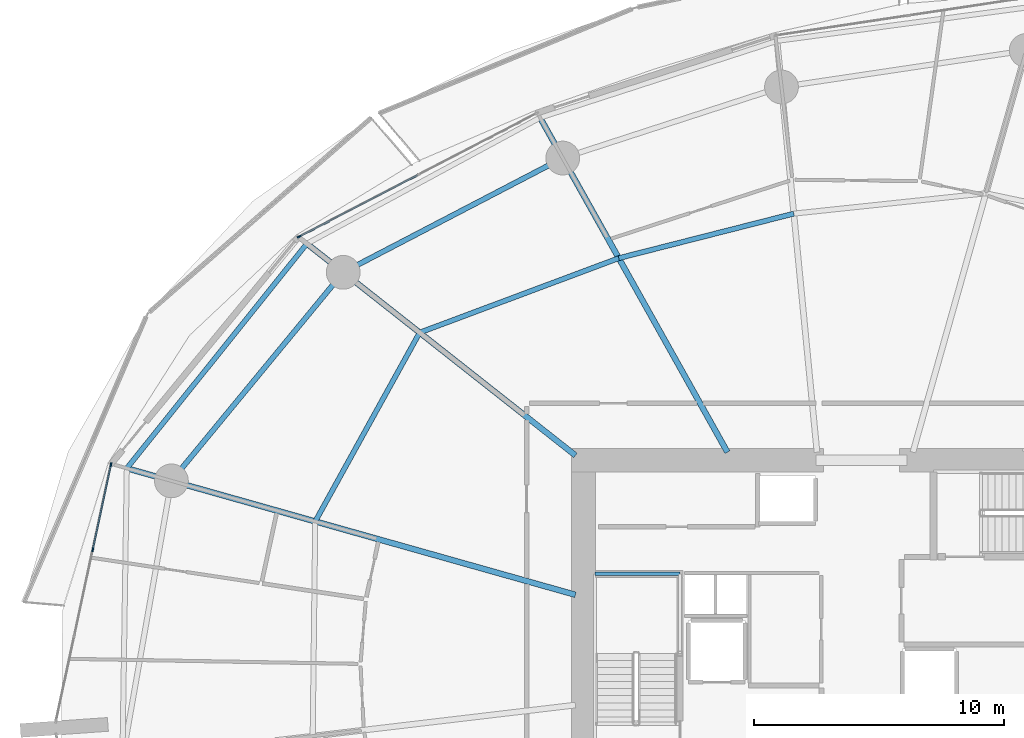
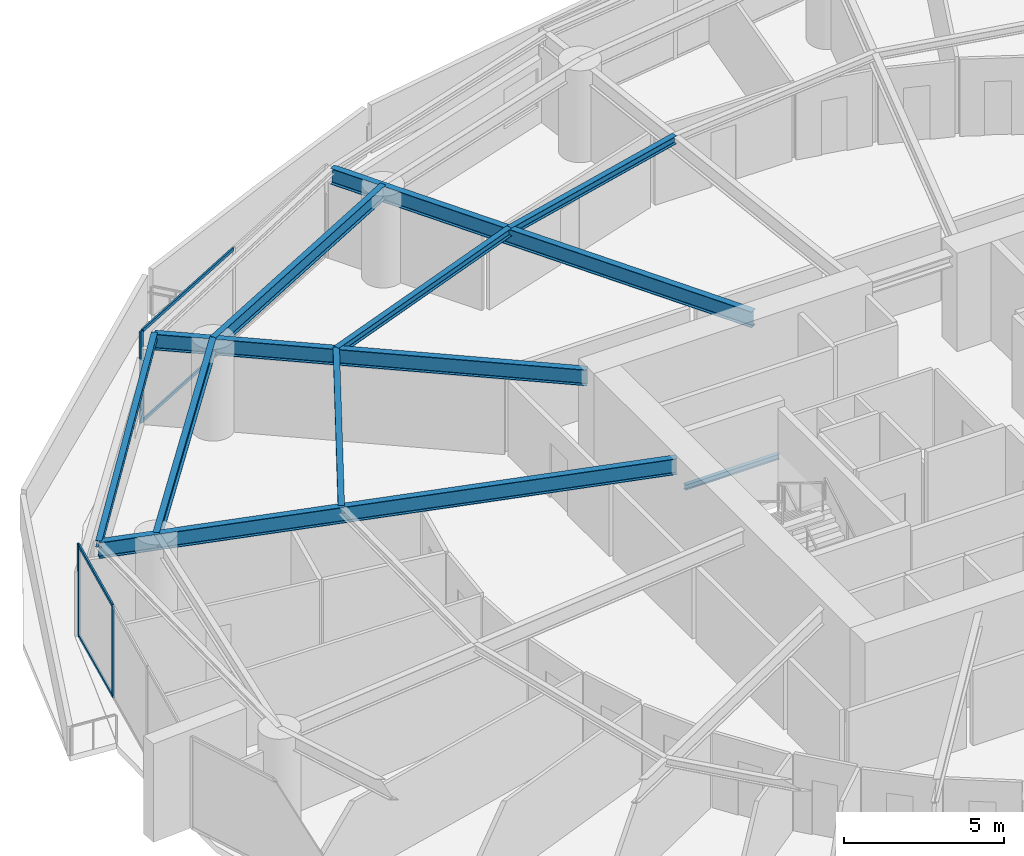
# One storey, part 12 of 30: 10 beams, 7 members, 2 elements without a shape of their own.
"""IFC4 building model written with IfcOpenShell, lengths in metres."""

from ifc_helpers import new_model, si_unit, direction, frame, origin, origin_2d, place, context, subcontext, project, spatial, rectangle, i_section, extrude, material, layer, layer_set, material_profile, profile_set, type_object, element, aggregate, save


model = new_model("IFC4")

# Units and contexts
model_context = context("Model", 3, precision=1e-05, world=origin(), true_north=direction((0.0, 1.0)))
body_context = subcontext(model_context, "Body", "Model", "MODEL_VIEW")
ifc_project = project(units=[si_unit("LENGTHUNIT", "METRE"), si_unit("AREAUNIT", "SQUARE_METRE"), si_unit("VOLUMEUNIT", "CUBIC_METRE"), si_unit("PLANEANGLEUNIT", "RADIAN"), si_unit("MASSUNIT", "GRAM", prefix="KILO")], contexts=[model_context])

# Site, building, storey
site_placement = place(None, origin())
site = spatial("IfcSite", under=ifc_project, at=site_placement, CompositionType="ELEMENT")
building_placement = place(site_placement, origin())
building = spatial("IfcBuilding", under=site, at=building_placement, Name="Kazma Halo Residences", CompositionType="ELEMENT")
storey_placement = place(building_placement, frame((0.0, 0.0, 56.39990234375)))
storey = spatial("IfcBuildingStorey", under=building, at=storey_placement, Name="L13", CompositionType="ELEMENT", Elevation=56.39990234375)

# Beams
ifc_material_1 = material(Name="Steel S355", Category="steel")
ifc_material_profile_1 = material_profile(ifc_material_1, i_section(OverallWidth=0.201904296875, OverallDepth=0.2470703125, WebThickness=0.00732421875, FlangeThickness=0.010986328125, FilletRadius=0.011962890625, at=origin_2d()), Name="W250x49.1")
ifc_profile_set_1 = profile_set([ifc_material_profile_1], Name="Steel S355")
beam_type_1 = type_object("IfcBeamType", Name="BM-BAL-CANT", PredefinedType="BEAM", material=ifc_profile_set_1)
beam_1_placement = place(storey_placement, frame((26.271484375, 59.12939453125, 3.376708984375), z_axis=(-0.625476617708, -0.780242911343, 0.0), x_axis=(0.780242911343, -0.625476617708, 0.0)))
element("IfcBeam", 1, at=beam_1_placement, inside=storey, type_object=beam_type_1, Name="L13 wave-balcony tie beam 06", PredefinedType="BEAM", context=body_context, shape_type="SweptSolid", body=[
    extrude(i_section(OverallWidth=0.201904296875, OverallDepth=0.2470703125, WebThickness=0.00732421875, FlangeThickness=0.010986328125, FilletRadius=0.011962890625, at=origin_2d()), origin(), (0.0, 0.0, 1.0), 11.499755859375),
])
ifc_material_profile_2 = material_profile(ifc_material_1, i_section(OverallWidth=0.22802734375, OverallDepth=0.60791015625, WebThickness=0.01123046875, FlangeThickness=0.017333984375, FilletRadius=0.01806640625, at=origin_2d()), Name="W610x113")
ifc_profile_set_2 = profile_set([ifc_material_profile_2], Name="Steel S355")
beam_type_2 = type_object("IfcBeamType", Name="BM-RAD-W610", PredefinedType="BEAM", material=ifc_profile_set_2)
beam_2_placement = place(storey_placement, frame((43.07177734375, 50.800048828125, 3.196044921875), z_axis=(-0.488624239587, 0.872494328055, 0.0), x_axis=(-0.872494328055, -0.488624239587, 0.0)))
element("IfcBeam", 2, at=beam_2_placement, inside=storey, type_object=beam_type_2, Name="L13 radial floor beam 05", PredefinedType="BEAM", context=body_context, shape_type="SweptSolid", body=[
    extrude(i_section(OverallWidth=0.22802734375, OverallDepth=0.60791015625, WebThickness=0.01123046875, FlangeThickness=0.017333984375, FilletRadius=0.01806640625, at=origin_2d()), origin(), (0.0, 0.0, 1.0), 15.316650390625),
])
beam_3_placement = place(storey_placement, frame((37.0, 50.671630859375, 3.196044921875), z_axis=(-0.78531394447, 0.619097737536, 0.0), x_axis=(-0.619097737536, -0.78531394447, 0.0)))
element("IfcBeam", 3, at=beam_3_placement, inside=storey, type_object=beam_type_2, Name="L13 radial floor beam 06", PredefinedType="BEAM", context=body_context, shape_type="SweptSolid", body=[
    extrude(i_section(OverallWidth=0.22802734375, OverallDepth=0.60791015625, WebThickness=0.01123046875, FlangeThickness=0.017333984375, FilletRadius=0.01806640625, at=origin_2d()), origin(), (0.0, 0.0, 1.0), 13.661376953125),
])
beam_4_placement = place(storey_placement, frame((37.0, 45.102294921875, 3.196044921875), z_axis=(-0.962453979784, 0.271444905641, 0.0), x_axis=(-0.271444905641, -0.962453979784, 0.0)))
element("IfcBeam", 4, at=beam_4_placement, inside=storey, type_object=beam_type_2, Name="L13 radial floor beam 07", PredefinedType="BEAM", context=body_context, shape_type="SweptSolid", body=[
    extrude(i_section(OverallWidth=0.22802734375, OverallDepth=0.60791015625, WebThickness=0.01123046875, FlangeThickness=0.017333984375, FilletRadius=0.01806640625, at=origin_2d()), origin(), (0.0, 0.0, 1.0), 18.62060546875),
])
ifc_material_profile_3 = material_profile(ifc_material_1, i_section(OverallWidth=0.202880859375, OverallDepth=0.302978515625, WebThickness=0.007568359375, FlangeThickness=0.01318359375, FilletRadius=0.013916015625, at=origin_2d()), Name="W310x60")
ifc_profile_set_3 = profile_set([ifc_material_profile_3], Name="Steel S355")
beam_type_3 = type_object("IfcBeamType", Name="BM-SEC-W310A", PredefinedType="JOIST", material=ifc_profile_set_3)
beam_5_placement = place(storey_placement, frame((45.7236328125, 60.329833984375, 3.3486328125), z_axis=(-0.969127021388, -0.246561993047, 0.0), x_axis=(0.246561993047, -0.969127021388, 0.0)))
element("IfcBeam", 5, at=beam_5_placement, inside=storey, type_object=beam_type_3, Name="L13 circumferential floor joist 04", PredefinedType="JOIST", context=body_context, shape_type="SweptSolid", body=[
    extrude(i_section(OverallWidth=0.202880859375, OverallDepth=0.302978515625, WebThickness=0.007568359375, FlangeThickness=0.01318359375, FilletRadius=0.013916015625, at=origin_2d()), origin(), (0.0, 0.0, 1.0), 7.21533203125),
])
beam_6_placement = place(storey_placement, frame((38.73095703125, 58.55078125, 3.3486328125), z_axis=(-0.936676104069, -0.350196910417, 0.0), x_axis=(0.350196910417, -0.936676104069, 0.0)))
element("IfcBeam", 6, at=beam_6_placement, inside=storey, type_object=beam_type_3, Name="L13 circumferential floor joist 05", PredefinedType="JOIST", context=body_context, shape_type="SweptSolid", body=[
    extrude(i_section(OverallWidth=0.202880859375, OverallDepth=0.302978515625, WebThickness=0.007568359375, FlangeThickness=0.01318359375, FilletRadius=0.013916015625, at=origin_2d()), origin(), (0.0, 0.0, 1.0), 8.4912109375),
])
beam_7_placement = place(storey_placement, frame((30.77734375, 55.5771484375, 3.3486328125), z_axis=(-0.483953872195, -0.875093509054, 0.0), x_axis=(0.875093509054, -0.483953872195, 0.0)))
element("IfcBeam", 7, at=beam_7_placement, inside=storey, type_object=beam_type_3, Name="L13 circumferential floor joist 06", PredefinedType="JOIST", context=body_context, shape_type="SweptSolid", body=[
    extrude(i_section(OverallWidth=0.202880859375, OverallDepth=0.302978515625, WebThickness=0.007568359375, FlangeThickness=0.01318359375, FilletRadius=0.013916015625, at=origin_2d()), origin(), (0.0, 0.0, 1.0), 8.619873046875),
])
ifc_material_profile_4 = material_profile(ifc_material_1, i_section(OverallWidth=0.208984375, OverallDepth=0.532958984375, WebThickness=0.01025390625, FlangeThickness=0.015625, FilletRadius=0.01611328125, at=origin_2d()), Name="W530x92")
ifc_profile_set_4 = profile_set([ifc_material_profile_4], Name="Steel S355")
beam_type_4 = type_object("IfcBeamType", Name="BM-SPN-W530", PredefinedType="BEAM", material=ifc_profile_set_4)
beam_8_placement = place(storey_placement, frame((36.49169921875, 62.549560546875, 3.233642578125), z_axis=(-0.886956241699, -0.461853467358, 0.0), x_axis=(0.461853467358, -0.886956241699, 0.0)))
element("IfcBeam", 8, at=beam_8_placement, inside=storey, type_object=beam_type_4, Name="L13 perimeter ring beam 05", PredefinedType="BEAM", context=body_context, shape_type="SweptSolid", body=[
    extrude(i_section(OverallWidth=0.208984375, OverallDepth=0.532958984375, WebThickness=0.01025390625, FlangeThickness=0.015625, FilletRadius=0.01611328125, at=origin_2d()), origin(), (0.0, 0.0, 1.0), 9.885009765625),
])
beam_9_placement = place(storey_placement, frame((27.72412109375, 57.984130859375, 3.233642578125), z_axis=(-0.636001336663, -0.771687954916, 0.0), x_axis=(0.771687954916, -0.636001336663, 0.0)))
element("IfcBeam", 9, at=beam_9_placement, inside=storey, type_object=beam_type_4, Name="L13 perimeter ring beam 06", PredefinedType="BEAM", context=body_context, shape_type="SweptSolid", body=[
    extrude(i_section(OverallWidth=0.208984375, OverallDepth=0.532958984375, WebThickness=0.01025390625, FlangeThickness=0.015625, FilletRadius=0.01611328125, at=origin_2d()), origin(), (0.0, 0.0, 1.0), 10.7939453125),
])
ifc_material_profile_5 = material_profile(ifc_material_1, i_section(OverallWidth=0.133056640625, OverallDepth=0.20703125, WebThickness=0.005859375, FlangeThickness=0.00830078125, FilletRadius=0.010009765625, at=origin_2d()), Name="W200x26.6")
ifc_profile_set_5 = profile_set([ifc_material_profile_5], Name="Steel S355")
beam_type_5 = type_object("IfcBeamType", Name="BM-TRIM-W200", PredefinedType="BEAM", material=ifc_profile_set_5)
beam_10_placement = place(storey_placement, frame((37.780029296875, 45.93994140625, 1.570068359375), z_axis=(1.0, 0.0, 0.0), x_axis=(0.0, 1.0, 0.0)))
element("IfcBeam", 10, at=beam_10_placement, inside=storey, type_object=beam_type_5, Name="L13 ST-01 landing end wall ledger", PredefinedType="BEAM", context=body_context, shape_type="SweptSolid", body=[
    extrude(i_section(OverallWidth=0.133056640625, OverallDepth=0.20703125, WebThickness=0.005859375, FlangeThickness=0.00830078125, FilletRadius=0.010009765625, at=origin_2d()), origin(), (0.0, 0.0, 1.0), 3.39990234375),
])

# Curtain wall, member
ifc_material_2 = material(Name="Aluminium AW-6063 T6 and Triple-Silver Low-E Glass", Category="aluminium")
ifc_layer = layer(ifc_material_2, 0.159912109375)
ifc_layer_set = layer_set([ifc_layer], Name="Aluminium AW-6063 T6 and Triple-Silver Low-E Glass")
curtain_wall_type = type_object("IfcCurtainWallType", Name="CW-SYS-2", PredefinedType="NOTDEFINED", material=ifc_layer_set)
curtain_wall_1_placement = place(storey_placement, origin())
curtain_wall_1 = element("IfcCurtainWall", 11, at=curtain_wall_1_placement, inside=storey, type_object=curtain_wall_type, Name="L13 unitised curtain wall B05", PredefinedType="NOTDEFINED")
ifc_material_3 = material(Name="Aluminium AW-6063 T6", Category="aluminium")
ifc_material_profile_6 = material_profile(ifc_material_3, rectangle(XDim=0.06005859375, YDim=0.159912109375, at=origin_2d()), Name="CWM-60x160")
ifc_profile_set_6 = profile_set([ifc_material_profile_6], Name="Aluminium AW-6063 T6")
member_type_1 = type_object("IfcMemberType", Name="CW-SYS-2-MUL", PredefinedType="MULLION", material=ifc_profile_set_6)
member_1_placement = place(storey_placement, frame((25.96142578125, 59.408447265625, 0.0), z_axis=(0.0, 0.0, 1.0), x_axis=(0.460995912628, -0.887402258584, 0.0)))
member_1 = element("IfcMember", 12, at=member_1_placement, type_object=member_type_1, Name="CWS-2 mullion 3", PredefinedType="MULLION", context=body_context, shape_type="SweptSolid", body=[
    extrude(rectangle(XDim=0.06005859375, YDim=0.159912109375, at=origin_2d()), origin(), (0.0, 0.0, 1.0), 3.5),
])

# Curtain wall, members
curtain_wall_2_placement = place(storey_placement, origin())
curtain_wall_2 = element("IfcCurtainWall", 13, at=curtain_wall_2_placement, inside=storey, type_object=curtain_wall_type, Name="L13 unitised curtain wall B07", PredefinedType="NOTDEFINED")
member_2_placement = place(storey_placement, frame((18.447021484375, 50.3037109375, 0.0), z_axis=(0.0, 0.0, 1.0), x_axis=(0.977779215096, -0.209637321406, 0.0)))
member_2 = element("IfcMember", 14, at=member_2_placement, type_object=member_type_1, Name="CWS-2 mullion 1", PredefinedType="MULLION", context=body_context, shape_type="SweptSolid", body=[
    extrude(rectangle(XDim=0.06005859375, YDim=0.159912109375, at=origin_2d()), origin(), (0.0, 0.0, 1.0), 3.5),
])
member_3_placement = place(storey_placement, frame((17.717041015625, 46.898681640625, 0.0), z_axis=(0.0, 0.0, 1.0), x_axis=(0.977779215096, -0.209637321406, 0.0)))
member_3 = element("IfcMember", 15, at=member_3_placement, type_object=member_type_1, Name="CWS-2 mullion 2", PredefinedType="MULLION", context=body_context, shape_type="SweptSolid", body=[
    extrude(rectangle(XDim=0.06005859375, YDim=0.159912109375, at=origin_2d()), origin(), (0.0, 0.0, 1.0), 3.5),
])

# Member
ifc_material_profile_7 = material_profile(ifc_material_3, rectangle(XDim=0.06005859375, YDim=0.1201171875, at=origin_2d()), Name="CWT-60x120")
ifc_profile_set_7 = profile_set([ifc_material_profile_7], Name="Aluminium AW-6063 T6")
member_type_2 = type_object("IfcMemberType", Name="CW-SYS-2-TRN", PredefinedType="USERDEFINED", material=ifc_profile_set_7)
member_4_placement = place(storey_placement, frame((30.681396484375, 61.8603515625, 0.030029296875), z_axis=(-0.887414738583, -0.460971888238, 0.0), x_axis=(0.460971888238, -0.887414738583, 0.0)))
member_4 = element("IfcMember", 16, at=member_4_placement, type_object=member_type_2, Name="CWS-2 transom 2.1", ObjectType="TRANSOM", PredefinedType="USERDEFINED", context=body_context, shape_type="SweptSolid", body=[
    extrude(rectangle(XDim=0.06005859375, YDim=0.1201171875, at=origin_2d()), origin(), (0.0, 0.0, 1.0), 5.288818359375),
])

member_5_placement = place(storey_placement, frame((30.681396484375, 61.8603515625, 3.47021484375), z_axis=(-0.887414738583, -0.460971888238, 0.0), x_axis=(0.460971888238, -0.887414738583, 0.0)))
member_5 = element("IfcMember", 17, at=member_5_placement, type_object=member_type_2, Name="CWS-2 transom 2.2", ObjectType="TRANSOM", PredefinedType="USERDEFINED", context=body_context, shape_type="SweptSolid", body=[
    extrude(rectangle(XDim=0.06005859375, YDim=0.1201171875, at=origin_2d()), origin(), (0.0, 0.0, 1.0), 5.288818359375),
])

aggregate(curtain_wall_1, [member_1, member_4, member_5])

member_6_placement = place(storey_placement, frame((18.440673828125, 50.2744140625, 0.030029296875), z_axis=(-0.209650877007, -0.977776308657, 0.0), x_axis=(0.977776308657, -0.209650877007, 0.0)))
member_6 = element("IfcMember", 18, at=member_6_placement, type_object=member_type_2, Name="CWS-2 transom 1.1", ObjectType="TRANSOM", PredefinedType="USERDEFINED", context=body_context, shape_type="SweptSolid", body=[
    extrude(rectangle(XDim=0.06005859375, YDim=0.1201171875, at=origin_2d()), origin(), (0.0, 0.0, 1.0), 3.422607421875),
])

member_7_placement = place(storey_placement, frame((18.440673828125, 50.2744140625, 3.47021484375), z_axis=(-0.209650877007, -0.977776308657, 0.0), x_axis=(0.977776308657, -0.209650877007, 0.0)))
member_7 = element("IfcMember", 19, at=member_7_placement, type_object=member_type_2, Name="CWS-2 transom 1.2", ObjectType="TRANSOM", PredefinedType="USERDEFINED", context=body_context, shape_type="SweptSolid", body=[
    extrude(rectangle(XDim=0.06005859375, YDim=0.1201171875, at=origin_2d()), origin(), (0.0, 0.0, 1.0), 3.422607421875),
])

aggregate(curtain_wall_2, [member_2, member_3, member_6, member_7])

save(model, "model.ifc")
